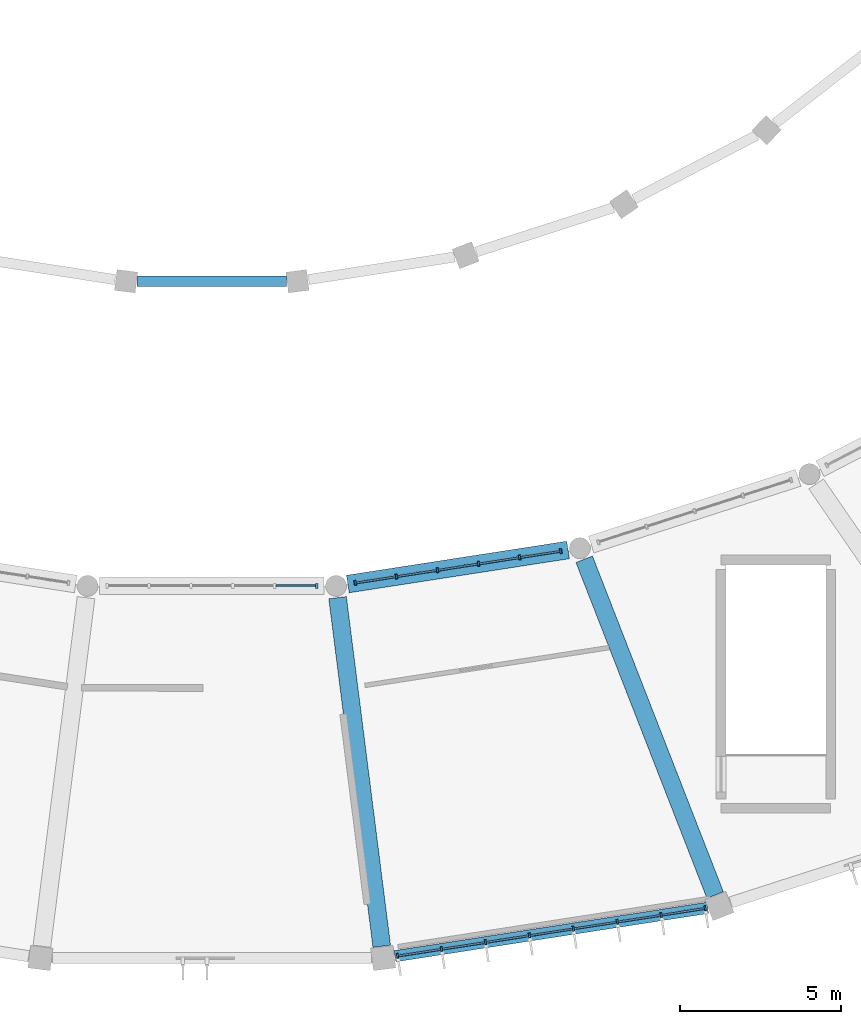
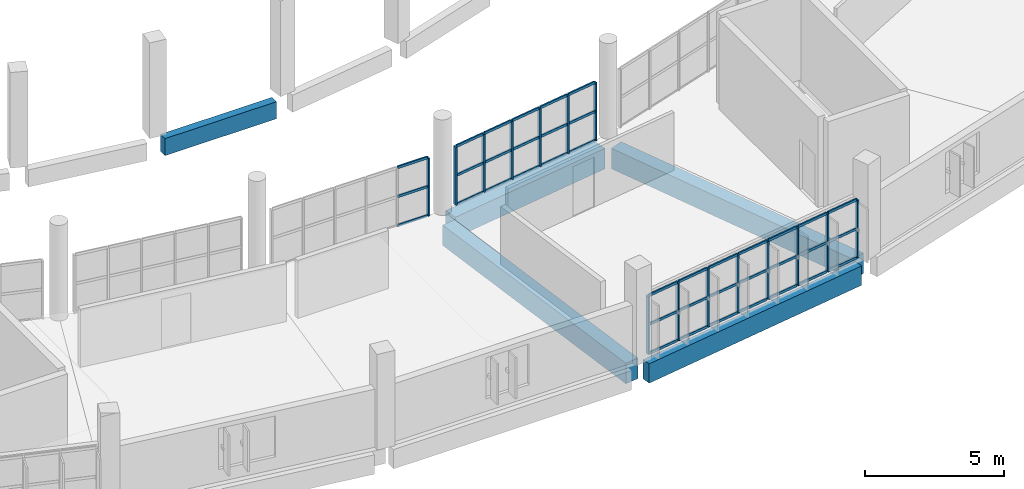
# One storey, part 15 of 142: 54 members, 5 beams, 3 elements without a shape of their own.
"""IFC4 building model written with IfcOpenShell, lengths in metres."""

from ifc_helpers import new_model, si_unit, direction, frame, origin, origin_2d, place, context, subcontext, project, spatial, rectangle, extrude, material, layer, layer_set, material_profile, profile_set, type_object, element, aggregate, save


model = new_model("IFC4")

# Units and contexts
model_context = context("Model", 3, precision=1e-05, world=origin(), true_north=direction((0.0, 1.0)))
body_context = subcontext(model_context, "Body", "Model", "MODEL_VIEW")
ifc_project = project(units=[si_unit("LENGTHUNIT", "METRE"), si_unit("AREAUNIT", "SQUARE_METRE"), si_unit("VOLUMEUNIT", "CUBIC_METRE"), si_unit("PLANEANGLEUNIT", "RADIAN"), si_unit("MASSUNIT", "GRAM", prefix="KILO")], contexts=[model_context])

# Site, building, storey
site_placement = place(None, origin())
site = spatial("IfcSite", under=ifc_project, at=site_placement, CompositionType="ELEMENT")
building_placement = place(site_placement, origin())
building = spatial("IfcBuilding", under=site, at=building_placement, Name="Corvandel Quay Wholesale Market", CompositionType="ELEMENT")
storey_placement = place(building_placement, frame((0.0, 0.0, 10.800048828125)))
storey = spatial("IfcBuildingStorey", under=building, at=storey_placement, Name="L02", CompositionType="ELEMENT", Elevation=10.800048828125)

# Curtain wall, member
ifc_material_1 = material(Name="Bronze anodised aluminium and low-E insulated glazing", Category="aluminium")
ifc_layer_1 = layer(ifc_material_1, 0.174072265625)
ifc_layer_set_1 = layer_set([ifc_layer_1], Name="Bronze anodised aluminium and low-E insulated glazing")
curtain_wall_type_1 = type_object("IfcCurtainWallType", Name="Stick Curtain Wall System CW17 H4530", PredefinedType="NOTDEFINED", material=ifc_layer_set_1)
curtain_wall_1_placement = place(storey_placement, origin())
curtain_wall_1 = element("IfcCurtainWall", 1, at=curtain_wall_1_placement, inside=storey, type_object=curtain_wall_type_1, Name="Curtain Wall CW-0070", PredefinedType="NOTDEFINED")
ifc_material_2 = material(Name="Anodised aluminium 6063-T6", Category="aluminium")
ifc_material_profile_1 = material_profile(ifc_material_2, rectangle(XDim=0.06494140625, YDim=0.14990234375, at=origin_2d()), Name="ALU-MUL-65x150")
ifc_profile_set_1 = profile_set([ifc_material_profile_1], Name="Anodised aluminium 6063-T6")
member_type_1 = type_object("IfcMemberType", Name="Curtain Wall Mullion ML02 65x150", PredefinedType="MULLION", material=ifc_profile_set_1)
member_1_placement = place(storey_placement, frame((117.256103515625, 11.550048828125, 0.0), z_axis=(0.0, 0.0, 1.0), x_axis=(1.0, 0.0, 0.0)))
member_1 = element("IfcMember", 2, at=member_1_placement, type_object=member_type_1, Name="Mullion CW-0070-M05", PredefinedType="MULLION", context=body_context, shape_type="SweptSolid", body=[
    extrude(rectangle(XDim=0.06494140625, YDim=0.14990234375, at=origin_2d()), origin(), (0.0, 0.0, 1.0), 2.550048828125),
])

# Curtain wall, members
ifc_layer_2 = layer(ifc_material_1, 0.14990234375)
ifc_layer_set_2 = layer_set([ifc_layer_2], Name="Bronze anodised aluminium and low-E insulated glazing")
curtain_wall_type_2 = type_object("IfcCurtainWallType", Name="Stick Curtain Wall System CW05 H3450", PredefinedType="NOTDEFINED", material=ifc_layer_set_2)
curtain_wall_2_placement = place(storey_placement, origin())
curtain_wall_2 = element("IfcCurtainWall", 3, at=curtain_wall_2_placement, inside=storey, type_object=curtain_wall_type_2, Name="Curtain Wall CW-0072", PredefinedType="NOTDEFINED")
member_2_placement = place(storey_placement, frame((119.763671875, 0.06884765625, 0.0), z_axis=(0.0, 0.0, 1.0), x_axis=(0.98825506746, 0.152813355565, 0.0)))
member_2 = element("IfcMember", 4, at=member_2_placement, type_object=member_type_1, Name="Mullion CW-0072-M00", PredefinedType="MULLION", context=body_context, shape_type="SweptSolid", body=[
    extrude(rectangle(XDim=0.06494140625, YDim=0.14990234375, at=origin_2d()), origin(), (0.0, 0.0, 1.0), 2.550048828125),
])
member_3_placement = place(storey_placement, frame((121.126953125, 0.27978515625, 0.0), z_axis=(0.0, 0.0, 1.0), x_axis=(0.98825506746, 0.152813355565, 0.0)))
member_3 = element("IfcMember", 5, at=member_3_placement, type_object=member_type_1, Name="Mullion CW-0072-M01", PredefinedType="MULLION", context=body_context, shape_type="SweptSolid", body=[
    extrude(rectangle(XDim=0.06494140625, YDim=0.14990234375, at=origin_2d()), origin(), (0.0, 0.0, 1.0), 2.550048828125),
])
member_4_placement = place(storey_placement, frame((122.490234375, 0.490478515625, 0.0), z_axis=(0.0, 0.0, 1.0), x_axis=(0.98825506746, 0.152813355565, 0.0)))
member_4 = element("IfcMember", 6, at=member_4_placement, type_object=member_type_1, Name="Mullion CW-0072-M02", PredefinedType="MULLION", context=body_context, shape_type="SweptSolid", body=[
    extrude(rectangle(XDim=0.06494140625, YDim=0.14990234375, at=origin_2d()), origin(), (0.0, 0.0, 1.0), 2.550048828125),
])
member_5_placement = place(storey_placement, frame((123.853515625, 0.701416015625, 0.0), z_axis=(0.0, 0.0, 1.0), x_axis=(0.98825506746, 0.152813355565, 0.0)))
member_5 = element("IfcMember", 7, at=member_5_placement, type_object=member_type_1, Name="Mullion CW-0072-M03", PredefinedType="MULLION", context=body_context, shape_type="SweptSolid", body=[
    extrude(rectangle(XDim=0.06494140625, YDim=0.14990234375, at=origin_2d()), origin(), (0.0, 0.0, 1.0), 2.550048828125),
])
member_6_placement = place(storey_placement, frame((125.216552734375, 0.91259765625, 0.0), z_axis=(0.0, 0.0, 1.0), x_axis=(0.98825506746, 0.152813355565, 0.0)))
member_6 = element("IfcMember", 8, at=member_6_placement, type_object=member_type_1, Name="Mullion CW-0072-M04", PredefinedType="MULLION", context=body_context, shape_type="SweptSolid", body=[
    extrude(rectangle(XDim=0.06494140625, YDim=0.14990234375, at=origin_2d()), origin(), (0.0, 0.0, 1.0), 2.550048828125),
])
member_7_placement = place(storey_placement, frame((126.579833984375, 1.123291015625, 0.0), z_axis=(0.0, 0.0, 1.0), x_axis=(0.98825506746, 0.152813355565, 0.0)))
member_7 = element("IfcMember", 9, at=member_7_placement, type_object=member_type_1, Name="Mullion CW-0072-M05", PredefinedType="MULLION", context=body_context, shape_type="SweptSolid", body=[
    extrude(rectangle(XDim=0.06494140625, YDim=0.14990234375, at=origin_2d()), origin(), (0.0, 0.0, 1.0), 2.550048828125),
])
member_8_placement = place(storey_placement, frame((127.943115234375, 1.334228515625, 0.0), z_axis=(0.0, 0.0, 1.0), x_axis=(0.98825506746, 0.152813355565, 0.0)))
member_8 = element("IfcMember", 10, at=member_8_placement, type_object=member_type_1, Name="Mullion CW-0072-M06", PredefinedType="MULLION", context=body_context, shape_type="SweptSolid", body=[
    extrude(rectangle(XDim=0.06494140625, YDim=0.14990234375, at=origin_2d()), origin(), (0.0, 0.0, 1.0), 2.550048828125),
])
member_9_placement = place(storey_placement, frame((129.306396484375, 1.545166015625, 0.0), z_axis=(0.0, 0.0, 1.0), x_axis=(0.98825506746, 0.152813355565, 0.0)))
member_9 = element("IfcMember", 11, at=member_9_placement, type_object=member_type_1, Name="Mullion CW-0072-M07", PredefinedType="MULLION", context=body_context, shape_type="SweptSolid", body=[
    extrude(rectangle(XDim=0.06494140625, YDim=0.14990234375, at=origin_2d()), origin(), (0.0, 0.0, 1.0), 2.550048828125),
])

ifc_layer_3 = layer(ifc_material_1, 0.18603515625)
ifc_layer_set_3 = layer_set([ifc_layer_3], Name="Bronze anodised aluminium and low-E insulated glazing")
curtain_wall_type_3 = type_object("IfcCurtainWallType", Name="Stick Curtain Wall System CW18 H4620", PredefinedType="NOTDEFINED", material=ifc_layer_set_3)
curtain_wall_3_placement = place(storey_placement, origin())
curtain_wall_3 = element("IfcCurtainWall", 12, at=curtain_wall_3_placement, inside=storey, type_object=curtain_wall_type_3, Name="Curtain Wall CW-0074", PredefinedType="NOTDEFINED")
member_10_placement = place(storey_placement, frame((118.448974609375, 11.6416015625, 0.0), z_axis=(0.0, 0.0, 1.0), x_axis=(0.98825506746, 0.152813355565, 0.0)))
member_10 = element("IfcMember", 13, at=member_10_placement, type_object=member_type_1, Name="Mullion CW-0074-M00", PredefinedType="MULLION", context=body_context, shape_type="SweptSolid", body=[
    extrude(rectangle(XDim=0.06494140625, YDim=0.14990234375, at=origin_2d()), origin(), (0.0, 0.0, 1.0), 2.550048828125),
])
member_11_placement = place(storey_placement, frame((119.724609375, 11.839111328125, 0.0), z_axis=(0.0, 0.0, 1.0), x_axis=(0.98825506746, 0.152813355565, 0.0)))
member_11 = element("IfcMember", 14, at=member_11_placement, type_object=member_type_1, Name="Mullion CW-0074-M01", PredefinedType="MULLION", context=body_context, shape_type="SweptSolid", body=[
    extrude(rectangle(XDim=0.06494140625, YDim=0.14990234375, at=origin_2d()), origin(), (0.0, 0.0, 1.0), 2.550048828125),
])
member_12_placement = place(storey_placement, frame((121.000244140625, 12.036376953125, 0.0), z_axis=(0.0, 0.0, 1.0), x_axis=(0.98825506746, 0.152813355565, 0.0)))
member_12 = element("IfcMember", 15, at=member_12_placement, type_object=member_type_1, Name="Mullion CW-0074-M02", PredefinedType="MULLION", context=body_context, shape_type="SweptSolid", body=[
    extrude(rectangle(XDim=0.06494140625, YDim=0.14990234375, at=origin_2d()), origin(), (0.0, 0.0, 1.0), 2.550048828125),
])
member_13_placement = place(storey_placement, frame((122.27587890625, 12.233642578125, 0.0), z_axis=(0.0, 0.0, 1.0), x_axis=(0.98825506746, 0.152813355565, 0.0)))
member_13 = element("IfcMember", 16, at=member_13_placement, type_object=member_type_1, Name="Mullion CW-0074-M03", PredefinedType="MULLION", context=body_context, shape_type="SweptSolid", body=[
    extrude(rectangle(XDim=0.06494140625, YDim=0.14990234375, at=origin_2d()), origin(), (0.0, 0.0, 1.0), 2.550048828125),
])
member_14_placement = place(storey_placement, frame((123.551513671875, 12.430908203125, 0.0), z_axis=(0.0, 0.0, 1.0), x_axis=(0.98825506746, 0.152813355565, 0.0)))
member_14 = element("IfcMember", 17, at=member_14_placement, type_object=member_type_1, Name="Mullion CW-0074-M04", PredefinedType="MULLION", context=body_context, shape_type="SweptSolid", body=[
    extrude(rectangle(XDim=0.06494140625, YDim=0.14990234375, at=origin_2d()), origin(), (0.0, 0.0, 1.0), 2.550048828125),
])
member_15_placement = place(storey_placement, frame((124.826904296875, 12.62841796875, 0.0), z_axis=(0.0, 0.0, 1.0), x_axis=(0.98825506746, 0.152813355565, 0.0)))
member_15 = element("IfcMember", 18, at=member_15_placement, type_object=member_type_1, Name="Mullion CW-0074-M05", PredefinedType="MULLION", context=body_context, shape_type="SweptSolid", body=[
    extrude(rectangle(XDim=0.06494140625, YDim=0.14990234375, at=origin_2d()), origin(), (0.0, 0.0, 1.0), 2.550048828125),
])

# Member
ifc_material_profile_2 = material_profile(ifc_material_2, rectangle(XDim=0.06005859375, YDim=0.110107421875, at=origin_2d()), Name="ALU-TRN-60x110")
ifc_profile_set_2 = profile_set([ifc_material_profile_2], Name="Anodised aluminium 6063-T6")
member_type_2 = type_object("IfcMemberType", Name="Curtain Wall Transom TR02 60x110", PredefinedType="USERDEFINED", material=ifc_profile_set_2)
member_16_placement = place(storey_placement, frame((115.986083984375, 11.550048828125, 0.0), z_axis=(1.0, 0.0, 0.0), x_axis=(0.0, 1.0, 0.0)))
member_16 = element("IfcMember", 19, at=member_16_placement, type_object=member_type_2, Name="Transom CW-0070-T04-0", ObjectType="TRANSOM", PredefinedType="USERDEFINED", context=body_context, shape_type="SweptSolid", body=[
    extrude(rectangle(XDim=0.06005859375, YDim=0.110107421875, at=origin_2d()), origin(), (0.0, 0.0, 1.0), 1.2373046875),
])

member_17_placement = place(storey_placement, frame((115.986083984375, 11.550048828125, 1.27490234375), z_axis=(1.0, 0.0, 0.0), x_axis=(0.0, 1.0, 0.0)))
member_17 = element("IfcMember", 20, at=member_17_placement, type_object=member_type_2, Name="Transom CW-0070-T04-1", ObjectType="TRANSOM", PredefinedType="USERDEFINED", context=body_context, shape_type="SweptSolid", body=[
    extrude(rectangle(XDim=0.06005859375, YDim=0.110107421875, at=origin_2d()), origin(), (0.0, 0.0, 1.0), 1.2373046875),
])

member_18_placement = place(storey_placement, frame((115.986083984375, 11.550048828125, 2.550048828125), z_axis=(1.0, 0.0, 0.0), x_axis=(0.0, 1.0, 0.0)))
member_18 = element("IfcMember", 21, at=member_18_placement, type_object=member_type_2, Name="Transom CW-0070-T04-2", ObjectType="TRANSOM", PredefinedType="USERDEFINED", context=body_context, shape_type="SweptSolid", body=[
    extrude(rectangle(XDim=0.06005859375, YDim=0.110107421875, at=origin_2d()), origin(), (0.0, 0.0, 1.0), 1.2373046875),
])

aggregate(curtain_wall_1, [member_1, member_16, member_17, member_18])

member_19_placement = place(storey_placement, frame((119.7958984375, 0.07373046875, 0.0), z_axis=(0.988244650986, 0.152880704466, 0.0), x_axis=(-0.152880704466, 0.988244650986, 0.0)))
member_19 = element("IfcMember", 22, at=member_19_placement, type_object=member_type_2, Name="Transom CW-0072-T00-0", ObjectType="TRANSOM", PredefinedType="USERDEFINED", context=body_context, shape_type="SweptSolid", body=[
    extrude(rectangle(XDim=0.06005859375, YDim=0.110107421875, at=origin_2d()), origin(), (0.0, 0.0, 1.0), 1.314208984375),
])

member_20_placement = place(storey_placement, frame((119.7958984375, 0.07373046875, 1.27490234375), z_axis=(0.988244650986, 0.152880704466, 0.0), x_axis=(-0.152880704466, 0.988244650986, 0.0)))
member_20 = element("IfcMember", 23, at=member_20_placement, type_object=member_type_2, Name="Transom CW-0072-T00-1", ObjectType="TRANSOM", PredefinedType="USERDEFINED", context=body_context, shape_type="SweptSolid", body=[
    extrude(rectangle(XDim=0.06005859375, YDim=0.110107421875, at=origin_2d()), origin(), (0.0, 0.0, 1.0), 1.314208984375),
])

member_21_placement = place(storey_placement, frame((119.7958984375, 0.07373046875, 2.550048828125), z_axis=(0.988244650986, 0.152880704466, 0.0), x_axis=(-0.152880704466, 0.988244650986, 0.0)))
member_21 = element("IfcMember", 24, at=member_21_placement, type_object=member_type_2, Name="Transom CW-0072-T00-2", ObjectType="TRANSOM", PredefinedType="USERDEFINED", context=body_context, shape_type="SweptSolid", body=[
    extrude(rectangle(XDim=0.06005859375, YDim=0.110107421875, at=origin_2d()), origin(), (0.0, 0.0, 1.0), 1.314208984375),
])

member_22_placement = place(storey_placement, frame((121.158935546875, 0.28466796875, 0.0), z_axis=(0.988248991474, 0.152852644237, 0.0), x_axis=(-0.152852644237, 0.988248991474, 0.0)))
member_22 = element("IfcMember", 25, at=member_22_placement, type_object=member_type_2, Name="Transom CW-0072-T01-0", ObjectType="TRANSOM", PredefinedType="USERDEFINED", context=body_context, shape_type="SweptSolid", body=[
    extrude(rectangle(XDim=0.06005859375, YDim=0.110107421875, at=origin_2d()), origin(), (0.0, 0.0, 1.0), 1.314453125),
])

member_23_placement = place(storey_placement, frame((121.158935546875, 0.28466796875, 1.27490234375), z_axis=(0.988248991474, 0.152852644237, 0.0), x_axis=(-0.152852644237, 0.988248991474, 0.0)))
member_23 = element("IfcMember", 26, at=member_23_placement, type_object=member_type_2, Name="Transom CW-0072-T01-1", ObjectType="TRANSOM", PredefinedType="USERDEFINED", context=body_context, shape_type="SweptSolid", body=[
    extrude(rectangle(XDim=0.06005859375, YDim=0.110107421875, at=origin_2d()), origin(), (0.0, 0.0, 1.0), 1.314453125),
])

member_24_placement = place(storey_placement, frame((121.158935546875, 0.28466796875, 2.550048828125), z_axis=(0.988248991474, 0.152852644237, 0.0), x_axis=(-0.152852644237, 0.988248991474, 0.0)))
member_24 = element("IfcMember", 27, at=member_24_placement, type_object=member_type_2, Name="Transom CW-0072-T01-2", ObjectType="TRANSOM", PredefinedType="USERDEFINED", context=body_context, shape_type="SweptSolid", body=[
    extrude(rectangle(XDim=0.06005859375, YDim=0.110107421875, at=origin_2d()), origin(), (0.0, 0.0, 1.0), 1.314453125),
])

member_25_placement = place(storey_placement, frame((122.522216796875, 0.49560546875, 0.0), z_axis=(0.988248991474, 0.152852644237, 0.0), x_axis=(-0.152852644237, 0.988248991474, 0.0)))
member_25 = element("IfcMember", 28, at=member_25_placement, type_object=member_type_2, Name="Transom CW-0072-T02-0", ObjectType="TRANSOM", PredefinedType="USERDEFINED", context=body_context, shape_type="SweptSolid", body=[
    extrude(rectangle(XDim=0.06005859375, YDim=0.110107421875, at=origin_2d()), origin(), (0.0, 0.0, 1.0), 1.314453125),
])

member_26_placement = place(storey_placement, frame((122.522216796875, 0.49560546875, 1.27490234375), z_axis=(0.988248991474, 0.152852644237, 0.0), x_axis=(-0.152852644237, 0.988248991474, 0.0)))
member_26 = element("IfcMember", 29, at=member_26_placement, type_object=member_type_2, Name="Transom CW-0072-T02-1", ObjectType="TRANSOM", PredefinedType="USERDEFINED", context=body_context, shape_type="SweptSolid", body=[
    extrude(rectangle(XDim=0.06005859375, YDim=0.110107421875, at=origin_2d()), origin(), (0.0, 0.0, 1.0), 1.314453125),
])

member_27_placement = place(storey_placement, frame((122.522216796875, 0.49560546875, 2.550048828125), z_axis=(0.988248991474, 0.152852644237, 0.0), x_axis=(-0.152852644237, 0.988248991474, 0.0)))
member_27 = element("IfcMember", 30, at=member_27_placement, type_object=member_type_2, Name="Transom CW-0072-T02-2", ObjectType="TRANSOM", PredefinedType="USERDEFINED", context=body_context, shape_type="SweptSolid", body=[
    extrude(rectangle(XDim=0.06005859375, YDim=0.110107421875, at=origin_2d()), origin(), (0.0, 0.0, 1.0), 1.314453125),
])

member_28_placement = place(storey_placement, frame((123.885498046875, 0.70654296875, 0.0), z_axis=(0.988248991474, 0.152852644237, 0.0), x_axis=(-0.152852644237, 0.988248991474, 0.0)))
member_28 = element("IfcMember", 31, at=member_28_placement, type_object=member_type_2, Name="Transom CW-0072-T03-0", ObjectType="TRANSOM", PredefinedType="USERDEFINED", context=body_context, shape_type="SweptSolid", body=[
    extrude(rectangle(XDim=0.06005859375, YDim=0.110107421875, at=origin_2d()), origin(), (0.0, 0.0, 1.0), 1.314453125),
])

member_29_placement = place(storey_placement, frame((123.885498046875, 0.70654296875, 1.27490234375), z_axis=(0.988248991474, 0.152852644237, 0.0), x_axis=(-0.152852644237, 0.988248991474, 0.0)))
member_29 = element("IfcMember", 32, at=member_29_placement, type_object=member_type_2, Name="Transom CW-0072-T03-1", ObjectType="TRANSOM", PredefinedType="USERDEFINED", context=body_context, shape_type="SweptSolid", body=[
    extrude(rectangle(XDim=0.06005859375, YDim=0.110107421875, at=origin_2d()), origin(), (0.0, 0.0, 1.0), 1.314453125),
])

member_30_placement = place(storey_placement, frame((123.885498046875, 0.70654296875, 2.550048828125), z_axis=(0.988248991474, 0.152852644237, 0.0), x_axis=(-0.152852644237, 0.988248991474, 0.0)))
member_30 = element("IfcMember", 33, at=member_30_placement, type_object=member_type_2, Name="Transom CW-0072-T03-2", ObjectType="TRANSOM", PredefinedType="USERDEFINED", context=body_context, shape_type="SweptSolid", body=[
    extrude(rectangle(XDim=0.06005859375, YDim=0.110107421875, at=origin_2d()), origin(), (0.0, 0.0, 1.0), 1.314453125),
])

member_31_placement = place(storey_placement, frame((125.248779296875, 0.91748046875, 0.0), z_axis=(0.988244650986, 0.152880704466, 0.0), x_axis=(-0.152880704466, 0.988244650986, 0.0)))
member_31 = element("IfcMember", 34, at=member_31_placement, type_object=member_type_2, Name="Transom CW-0072-T04-0", ObjectType="TRANSOM", PredefinedType="USERDEFINED", context=body_context, shape_type="SweptSolid", body=[
    extrude(rectangle(XDim=0.06005859375, YDim=0.110107421875, at=origin_2d()), origin(), (0.0, 0.0, 1.0), 1.314208984375),
])

member_32_placement = place(storey_placement, frame((125.248779296875, 0.91748046875, 1.27490234375), z_axis=(0.988244650986, 0.152880704466, 0.0), x_axis=(-0.152880704466, 0.988244650986, 0.0)))
member_32 = element("IfcMember", 35, at=member_32_placement, type_object=member_type_2, Name="Transom CW-0072-T04-1", ObjectType="TRANSOM", PredefinedType="USERDEFINED", context=body_context, shape_type="SweptSolid", body=[
    extrude(rectangle(XDim=0.06005859375, YDim=0.110107421875, at=origin_2d()), origin(), (0.0, 0.0, 1.0), 1.314208984375),
])

member_33_placement = place(storey_placement, frame((125.248779296875, 0.91748046875, 2.550048828125), z_axis=(0.988244650986, 0.152880704466, 0.0), x_axis=(-0.152880704466, 0.988244650986, 0.0)))
member_33 = element("IfcMember", 36, at=member_33_placement, type_object=member_type_2, Name="Transom CW-0072-T04-2", ObjectType="TRANSOM", PredefinedType="USERDEFINED", context=body_context, shape_type="SweptSolid", body=[
    extrude(rectangle(XDim=0.06005859375, YDim=0.110107421875, at=origin_2d()), origin(), (0.0, 0.0, 1.0), 1.314208984375),
])

member_34_placement = place(storey_placement, frame((126.612060546875, 1.12841796875, 0.0), z_axis=(0.988244650986, 0.152880704466, 0.0), x_axis=(-0.152880704466, 0.988244650986, 0.0)))
member_34 = element("IfcMember", 37, at=member_34_placement, type_object=member_type_2, Name="Transom CW-0072-T05-0", ObjectType="TRANSOM", PredefinedType="USERDEFINED", context=body_context, shape_type="SweptSolid", body=[
    extrude(rectangle(XDim=0.06005859375, YDim=0.110107421875, at=origin_2d()), origin(), (0.0, 0.0, 1.0), 1.314208984375),
])

member_35_placement = place(storey_placement, frame((126.612060546875, 1.12841796875, 1.27490234375), z_axis=(0.988244650986, 0.152880704466, 0.0), x_axis=(-0.152880704466, 0.988244650986, 0.0)))
member_35 = element("IfcMember", 38, at=member_35_placement, type_object=member_type_2, Name="Transom CW-0072-T05-1", ObjectType="TRANSOM", PredefinedType="USERDEFINED", context=body_context, shape_type="SweptSolid", body=[
    extrude(rectangle(XDim=0.06005859375, YDim=0.110107421875, at=origin_2d()), origin(), (0.0, 0.0, 1.0), 1.314208984375),
])

member_36_placement = place(storey_placement, frame((126.612060546875, 1.12841796875, 2.550048828125), z_axis=(0.988244650986, 0.152880704466, 0.0), x_axis=(-0.152880704466, 0.988244650986, 0.0)))
member_36 = element("IfcMember", 39, at=member_36_placement, type_object=member_type_2, Name="Transom CW-0072-T05-2", ObjectType="TRANSOM", PredefinedType="USERDEFINED", context=body_context, shape_type="SweptSolid", body=[
    extrude(rectangle(XDim=0.06005859375, YDim=0.110107421875, at=origin_2d()), origin(), (0.0, 0.0, 1.0), 1.314208984375),
])

member_37_placement = place(storey_placement, frame((127.97509765625, 1.33935546875, 0.0), z_axis=(0.988248991474, 0.152852644237, 0.0), x_axis=(-0.152852644237, 0.988248991474, 0.0)))
member_37 = element("IfcMember", 40, at=member_37_placement, type_object=member_type_2, Name="Transom CW-0072-T06-0", ObjectType="TRANSOM", PredefinedType="USERDEFINED", context=body_context, shape_type="SweptSolid", body=[
    extrude(rectangle(XDim=0.06005859375, YDim=0.110107421875, at=origin_2d()), origin(), (0.0, 0.0, 1.0), 1.314453125),
])

member_38_placement = place(storey_placement, frame((127.97509765625, 1.33935546875, 1.27490234375), z_axis=(0.988248991474, 0.152852644237, 0.0), x_axis=(-0.152852644237, 0.988248991474, 0.0)))
member_38 = element("IfcMember", 41, at=member_38_placement, type_object=member_type_2, Name="Transom CW-0072-T06-1", ObjectType="TRANSOM", PredefinedType="USERDEFINED", context=body_context, shape_type="SweptSolid", body=[
    extrude(rectangle(XDim=0.06005859375, YDim=0.110107421875, at=origin_2d()), origin(), (0.0, 0.0, 1.0), 1.314453125),
])

member_39_placement = place(storey_placement, frame((127.97509765625, 1.33935546875, 2.550048828125), z_axis=(0.988248991474, 0.152852644237, 0.0), x_axis=(-0.152852644237, 0.988248991474, 0.0)))
member_39 = element("IfcMember", 42, at=member_39_placement, type_object=member_type_2, Name="Transom CW-0072-T06-2", ObjectType="TRANSOM", PredefinedType="USERDEFINED", context=body_context, shape_type="SweptSolid", body=[
    extrude(rectangle(XDim=0.06005859375, YDim=0.110107421875, at=origin_2d()), origin(), (0.0, 0.0, 1.0), 1.314453125),
])

aggregate(curtain_wall_2, [member_2, member_3, member_4, member_5, member_6, member_7, member_8, member_9, member_19, member_20, member_21, member_22, member_23, member_24, member_25, member_26, member_27, member_28, member_29, member_30, member_31, member_32, member_33, member_34, member_35, member_36, member_37, member_38, member_39])

member_40_placement = place(storey_placement, frame((118.481201171875, 11.646728515625, 0.0), z_axis=(0.988258580736, 0.152790633224, 0.0), x_axis=(-0.152790633224, 0.988258580736, 0.0)))
member_40 = element("IfcMember", 43, at=member_40_placement, type_object=member_type_2, Name="Transom CW-0074-T00-0", ObjectType="TRANSOM", PredefinedType="USERDEFINED", context=body_context, shape_type="SweptSolid", body=[
    extrude(rectangle(XDim=0.06005859375, YDim=0.110107421875, at=origin_2d()), origin(), (0.0, 0.0, 1.0), 1.2255859375),
])

member_41_placement = place(storey_placement, frame((118.481201171875, 11.646728515625, 1.27490234375), z_axis=(0.988258580736, 0.152790633224, 0.0), x_axis=(-0.152790633224, 0.988258580736, 0.0)))
member_41 = element("IfcMember", 44, at=member_41_placement, type_object=member_type_2, Name="Transom CW-0074-T00-1", ObjectType="TRANSOM", PredefinedType="USERDEFINED", context=body_context, shape_type="SweptSolid", body=[
    extrude(rectangle(XDim=0.06005859375, YDim=0.110107421875, at=origin_2d()), origin(), (0.0, 0.0, 1.0), 1.2255859375),
])

member_42_placement = place(storey_placement, frame((118.481201171875, 11.646728515625, 2.550048828125), z_axis=(0.988258580736, 0.152790633224, 0.0), x_axis=(-0.152790633224, 0.988258580736, 0.0)))
member_42 = element("IfcMember", 45, at=member_42_placement, type_object=member_type_2, Name="Transom CW-0074-T00-2", ObjectType="TRANSOM", PredefinedType="USERDEFINED", context=body_context, shape_type="SweptSolid", body=[
    extrude(rectangle(XDim=0.06005859375, YDim=0.110107421875, at=origin_2d()), origin(), (0.0, 0.0, 1.0), 1.2255859375),
])

member_43_placement = place(storey_placement, frame((119.756591796875, 11.843994140625, 0.0), z_axis=(0.988233143916, 0.152955069433, 0.0), x_axis=(-0.152955069433, 0.988233143916, 0.0)))
member_43 = element("IfcMember", 46, at=member_43_placement, type_object=member_type_2, Name="Transom CW-0074-T01-0", ObjectType="TRANSOM", PredefinedType="USERDEFINED", context=body_context, shape_type="SweptSolid", body=[
    extrude(rectangle(XDim=0.06005859375, YDim=0.110107421875, at=origin_2d()), origin(), (0.0, 0.0, 1.0), 1.225830078125),
])

member_44_placement = place(storey_placement, frame((119.756591796875, 11.843994140625, 1.27490234375), z_axis=(0.988233143916, 0.152955069433, 0.0), x_axis=(-0.152955069433, 0.988233143916, 0.0)))
member_44 = element("IfcMember", 47, at=member_44_placement, type_object=member_type_2, Name="Transom CW-0074-T01-1", ObjectType="TRANSOM", PredefinedType="USERDEFINED", context=body_context, shape_type="SweptSolid", body=[
    extrude(rectangle(XDim=0.06005859375, YDim=0.110107421875, at=origin_2d()), origin(), (0.0, 0.0, 1.0), 1.225830078125),
])

member_45_placement = place(storey_placement, frame((119.756591796875, 11.843994140625, 2.550048828125), z_axis=(0.988233143916, 0.152955069433, 0.0), x_axis=(-0.152955069433, 0.988233143916, 0.0)))
member_45 = element("IfcMember", 48, at=member_45_placement, type_object=member_type_2, Name="Transom CW-0074-T01-2", ObjectType="TRANSOM", PredefinedType="USERDEFINED", context=body_context, shape_type="SweptSolid", body=[
    extrude(rectangle(XDim=0.06005859375, YDim=0.110107421875, at=origin_2d()), origin(), (0.0, 0.0, 1.0), 1.225830078125),
])

member_46_placement = place(storey_placement, frame((121.0322265625, 12.041259765625, 0.0), z_axis=(0.988233143916, 0.152955069433, 0.0), x_axis=(-0.152955069433, 0.988233143916, 0.0)))
member_46 = element("IfcMember", 49, at=member_46_placement, type_object=member_type_2, Name="Transom CW-0074-T02-0", ObjectType="TRANSOM", PredefinedType="USERDEFINED", context=body_context, shape_type="SweptSolid", body=[
    extrude(rectangle(XDim=0.06005859375, YDim=0.110107421875, at=origin_2d()), origin(), (0.0, 0.0, 1.0), 1.225830078125),
])

member_47_placement = place(storey_placement, frame((121.0322265625, 12.041259765625, 1.27490234375), z_axis=(0.988233143916, 0.152955069433, 0.0), x_axis=(-0.152955069433, 0.988233143916, 0.0)))
member_47 = element("IfcMember", 50, at=member_47_placement, type_object=member_type_2, Name="Transom CW-0074-T02-1", ObjectType="TRANSOM", PredefinedType="USERDEFINED", context=body_context, shape_type="SweptSolid", body=[
    extrude(rectangle(XDim=0.06005859375, YDim=0.110107421875, at=origin_2d()), origin(), (0.0, 0.0, 1.0), 1.225830078125),
])

member_48_placement = place(storey_placement, frame((121.0322265625, 12.041259765625, 2.550048828125), z_axis=(0.988233143916, 0.152955069433, 0.0), x_axis=(-0.152955069433, 0.988233143916, 0.0)))
member_48 = element("IfcMember", 51, at=member_48_placement, type_object=member_type_2, Name="Transom CW-0074-T02-2", ObjectType="TRANSOM", PredefinedType="USERDEFINED", context=body_context, shape_type="SweptSolid", body=[
    extrude(rectangle(XDim=0.06005859375, YDim=0.110107421875, at=origin_2d()), origin(), (0.0, 0.0, 1.0), 1.225830078125),
])

member_49_placement = place(storey_placement, frame((122.307861328125, 12.238525390625, 0.0), z_axis=(0.988233143916, 0.152955069433, 0.0), x_axis=(-0.152955069433, 0.988233143916, 0.0)))
member_49 = element("IfcMember", 52, at=member_49_placement, type_object=member_type_2, Name="Transom CW-0074-T03-0", ObjectType="TRANSOM", PredefinedType="USERDEFINED", context=body_context, shape_type="SweptSolid", body=[
    extrude(rectangle(XDim=0.06005859375, YDim=0.110107421875, at=origin_2d()), origin(), (0.0, 0.0, 1.0), 1.225830078125),
])

member_50_placement = place(storey_placement, frame((122.307861328125, 12.238525390625, 1.27490234375), z_axis=(0.988233143916, 0.152955069433, 0.0), x_axis=(-0.152955069433, 0.988233143916, 0.0)))
member_50 = element("IfcMember", 53, at=member_50_placement, type_object=member_type_2, Name="Transom CW-0074-T03-1", ObjectType="TRANSOM", PredefinedType="USERDEFINED", context=body_context, shape_type="SweptSolid", body=[
    extrude(rectangle(XDim=0.06005859375, YDim=0.110107421875, at=origin_2d()), origin(), (0.0, 0.0, 1.0), 1.225830078125),
])

member_51_placement = place(storey_placement, frame((122.307861328125, 12.238525390625, 2.550048828125), z_axis=(0.988233143916, 0.152955069433, 0.0), x_axis=(-0.152955069433, 0.988233143916, 0.0)))
member_51 = element("IfcMember", 54, at=member_51_placement, type_object=member_type_2, Name="Transom CW-0074-T03-2", ObjectType="TRANSOM", PredefinedType="USERDEFINED", context=body_context, shape_type="SweptSolid", body=[
    extrude(rectangle(XDim=0.06005859375, YDim=0.110107421875, at=origin_2d()), origin(), (0.0, 0.0, 1.0), 1.225830078125),
])

member_52_placement = place(storey_placement, frame((123.58349609375, 12.435791015625, 0.0), z_axis=(0.988233143916, 0.152955069433, 0.0), x_axis=(-0.152955069433, 0.988233143916, 0.0)))
member_52 = element("IfcMember", 55, at=member_52_placement, type_object=member_type_2, Name="Transom CW-0074-T04-0", ObjectType="TRANSOM", PredefinedType="USERDEFINED", context=body_context, shape_type="SweptSolid", body=[
    extrude(rectangle(XDim=0.06005859375, YDim=0.110107421875, at=origin_2d()), origin(), (0.0, 0.0, 1.0), 1.225830078125),
])

member_53_placement = place(storey_placement, frame((123.58349609375, 12.435791015625, 1.27490234375), z_axis=(0.988233143916, 0.152955069433, 0.0), x_axis=(-0.152955069433, 0.988233143916, 0.0)))
member_53 = element("IfcMember", 56, at=member_53_placement, type_object=member_type_2, Name="Transom CW-0074-T04-1", ObjectType="TRANSOM", PredefinedType="USERDEFINED", context=body_context, shape_type="SweptSolid", body=[
    extrude(rectangle(XDim=0.06005859375, YDim=0.110107421875, at=origin_2d()), origin(), (0.0, 0.0, 1.0), 1.225830078125),
])

member_54_placement = place(storey_placement, frame((123.58349609375, 12.435791015625, 2.550048828125), z_axis=(0.988233143916, 0.152955069433, 0.0), x_axis=(-0.152955069433, 0.988233143916, 0.0)))
member_54 = element("IfcMember", 57, at=member_54_placement, type_object=member_type_2, Name="Transom CW-0074-T04-2", ObjectType="TRANSOM", PredefinedType="USERDEFINED", context=body_context, shape_type="SweptSolid", body=[
    extrude(rectangle(XDim=0.06005859375, YDim=0.110107421875, at=origin_2d()), origin(), (0.0, 0.0, 1.0), 1.225830078125),
])

aggregate(curtain_wall_3, [member_10, member_11, member_12, member_13, member_14, member_15, member_40, member_41, member_42, member_43, member_44, member_45, member_46, member_47, member_48, member_49, member_50, member_51, member_52, member_53, member_54])

# Beams
ifc_material_3 = material(Name="Precast concrete C45/55", Category="concrete")
ifc_material_profile_3 = material_profile(ifc_material_3, rectangle(XDim=0.320068359375, YDim=0.75, at=origin_2d()), Name="PC-SPN-320x750")
ifc_profile_set_3 = profile_set([ifc_material_profile_3], Name="Precast concrete C45/55")
beam_type_1 = type_object("IfcBeamType", Name="Pavilion Precast Spandrel SP02 320x750", PredefinedType="SPANDREL", material=ifc_profile_set_3)
beam_1_placement = place(storey_placement, frame((111.68603515625, 21.0, -0.695068359375), z_axis=(1.0, 0.0, 0.0), x_axis=(0.0, 1.0, 0.0)))
element("IfcBeam", 58, at=beam_1_placement, inside=storey, type_object=beam_type_1, Name="Beam BM-0294", PredefinedType="SPANDREL", context=body_context, shape_type="SweptSolid", body=[
    extrude(rectangle(XDim=0.320068359375, YDim=0.75, at=origin_2d()), origin(), (0.0, 0.0, 1.0), 4.6279296875),
])
ifc_material_profile_4 = material_profile(ifc_material_3, rectangle(XDim=0.35009765625, YDim=0.85009765625, at=origin_2d()), Name="PC-SPN-350x850")
ifc_profile_set_4 = profile_set([ifc_material_profile_4], Name="Precast concrete C45/55")
beam_type_2 = type_object("IfcBeamType", Name="Perimeter Precast Spandrel SP01 350x850", PredefinedType="SPANDREL", material=ifc_profile_set_4)
beam_2_placement = place(storey_placement, frame((119.6845703125, 0.056640625, -0.7451171875), z_axis=(0.988244555633, 0.152881320838, 0.0), x_axis=(-0.152881320838, 0.988244555633, 0.0)))
element("IfcBeam", 59, at=beam_2_placement, inside=storey, type_object=beam_type_2, Name="Beam BM-0304", PredefinedType="SPANDREL", context=body_context, shape_type="SweptSolid", body=[
    extrude(rectangle(XDim=0.35009765625, YDim=0.85009765625, at=origin_2d()), origin(), (0.0, 0.0, 1.0), 9.81640625),
])
ifc_material_profile_5 = material_profile(ifc_material_3, rectangle(XDim=0.550048828125, YDim=0.89990234375, at=origin_2d()), Name="PC-GIR-550x900")
ifc_profile_set_5 = profile_set([ifc_material_profile_5], Name="Precast concrete C45/55")
beam_type_3 = type_object("IfcBeamType", Name="Produce Hall Radial Girder G03 550x900", PredefinedType="USERDEFINED", material=ifc_profile_set_5)
beam_3_placement = place(storey_placement, frame((118.2216796875, 11.606689453125, -0.77001953125), z_axis=(0.988252189149, 0.15283196865, 0.0), x_axis=(-0.15283196865, 0.988252189149, 0.0)))
element("IfcBeam", 60, at=beam_3_placement, inside=storey, type_object=beam_type_3, Name="Beam BM-0305", ObjectType="GIRDER", PredefinedType="USERDEFINED", context=body_context, shape_type="SweptSolid", body=[
    extrude(rectangle(XDim=0.550048828125, YDim=0.89990234375, at=origin_2d()), origin(), (0.0, 0.0, 1.0), 6.913818359375),
])
beam_4_placement = place(storey_placement, frame((119.2724609375, 0.3671875, -0.77001953125), z_axis=(-0.125652446387, 0.992074323182, 0.0), x_axis=(-0.992074323182, -0.125652446387, 0.0)))
element("IfcBeam", 61, at=beam_4_placement, inside=storey, type_object=beam_type_3, Name="Beam BM-0307", ObjectType="GIRDER", PredefinedType="USERDEFINED", context=body_context, shape_type="SweptSolid", body=[
    extrude(rectangle(XDim=0.550048828125, YDim=0.89990234375, at=origin_2d()), origin(), (0.0, 0.0, 1.0), 10.902099609375),
])
beam_5_placement = place(storey_placement, frame((129.61669921875, 1.958740234375, -0.77001953125), z_axis=(-0.363331250992, 0.93166002493, 0.0), x_axis=(-0.93166002493, -0.363331250992, 0.0)))
element("IfcBeam", 62, at=beam_5_placement, inside=storey, type_object=beam_type_3, Name="Beam BM-0318", ObjectType="GIRDER", PredefinedType="USERDEFINED", context=body_context, shape_type="SweptSolid", body=[
    extrude(rectangle(XDim=0.550048828125, YDim=0.89990234375, at=origin_2d()), origin(), (0.0, 0.0, 1.0), 11.1806640625),
])

save(model, "model.ifc")
